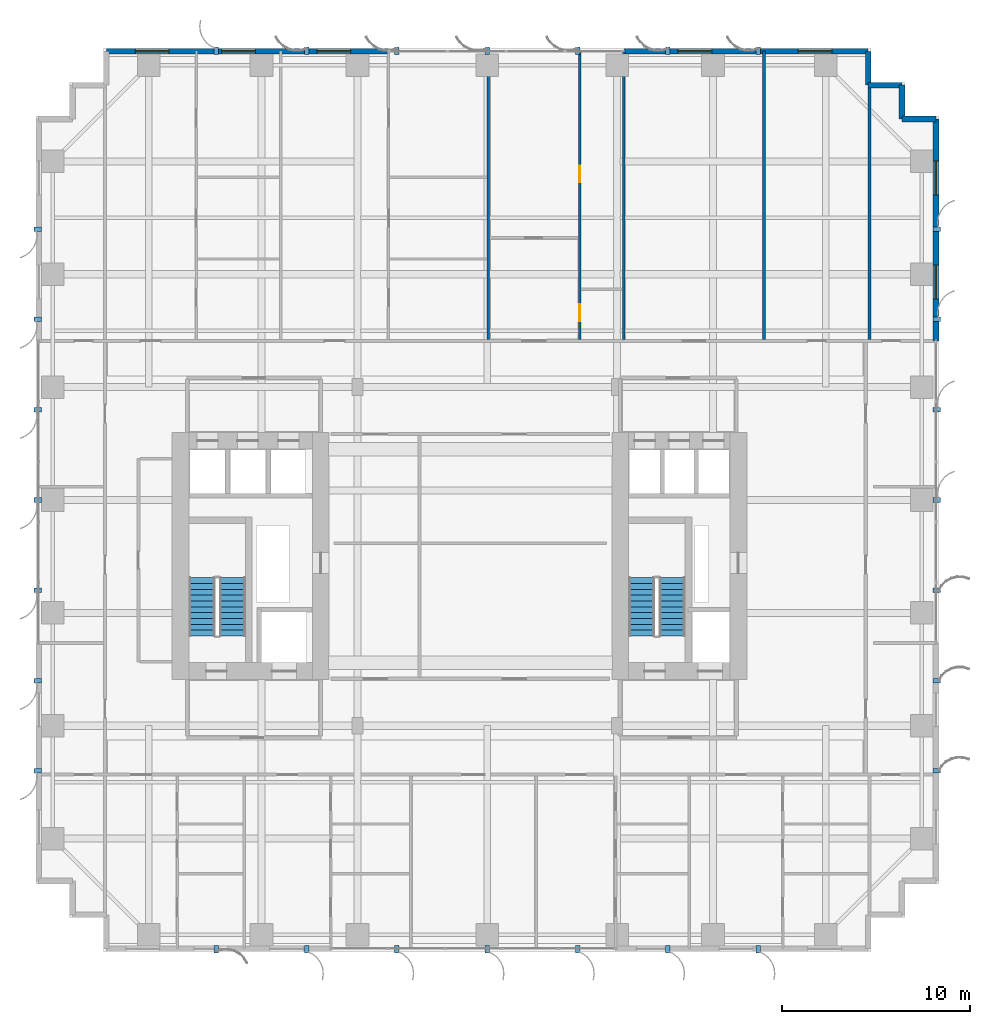
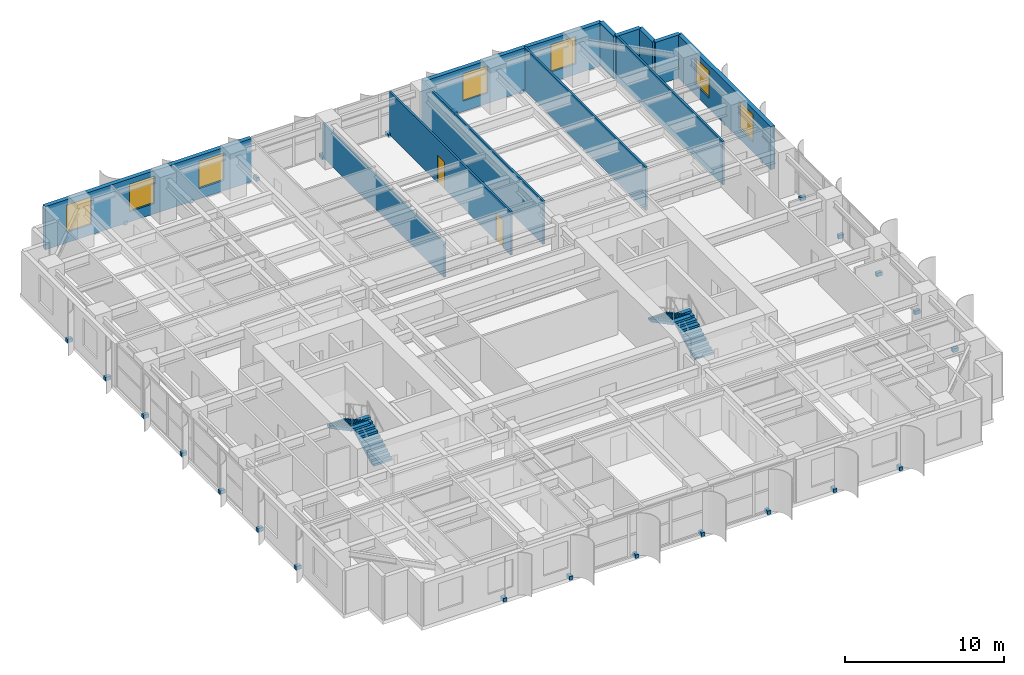
# One storey, part 19 of 23: 28 discrete accessories, 12 walls, 7 windows, 4 stair flights, 2 doors, 9 openings, 2 elements without a shape of their own.
"""IFC4 building model written with IfcOpenShell, lengths in metres."""

from ifc_helpers import new_model, si_unit, direction, frame, frame_2d, origin, origin_2d, place, context, subcontext, project, spatial, polyline, rectangle, outline, extrude, source, transform, mapped, material, layer, layer_set, type_object, element, fill, aggregate, save


model = new_model("IFC4")

# Units and contexts
model_context = context("Model", 3, precision=1e-05, world=origin(), true_north=direction((0.0, 1.0)))
body_context = subcontext(model_context, "Body", "Model", "MODEL_VIEW")
ifc_project = project(units=[si_unit("LENGTHUNIT", "METRE"), si_unit("AREAUNIT", "SQUARE_METRE"), si_unit("VOLUMEUNIT", "CUBIC_METRE"), si_unit("PLANEANGLEUNIT", "RADIAN"), si_unit("MASSUNIT", "GRAM", prefix="KILO")], contexts=[model_context])

# Site, building, storey
site_placement = place(None, origin())
site = spatial("IfcSite", under=ifc_project, at=site_placement, CompositionType="ELEMENT")
building_placement = place(site_placement, origin())
building = spatial("IfcBuilding", under=site, at=building_placement, Name="Khoralis Quay Care Tower", CompositionType="ELEMENT")
storey_placement = place(building_placement, frame((0.0, 0.0, 33.300048828125)))
storey = spatial("IfcBuildingStorey", under=building, at=storey_placement, Name="L08", CompositionType="ELEMENT", Elevation=33.300048828125)

# Wall, openings, windows
ifc_material_1 = material(Name="Precast concrete C45/55", Category="concrete")
ifc_layer_1 = layer(ifc_material_1, 0.300048828125)
ifc_layer_set_1 = layer_set([ifc_layer_1], Name="Precast concrete C45/55")
wall_type_1 = type_object("IfcWallType", Name="WL-EXT-REF-300", PredefinedType="SOLIDWALL", material=ifc_layer_set_1)
wall_1_placement = place(storey_placement, frame((47.85009765625, 32.4599609375, 0.0), z_axis=(0.0, 0.0, 1.0), x_axis=(0.0, 1.0, 0.0)))
wall_1 = element("IfcWall", 1, at=wall_1_placement, inside=storey, type_object=wall_type_1, Name="L08 External Facade Wall WL-EXT-L08-P1-E5B", PredefinedType="SOLIDWALL", context=body_context, shape_type="SweptSolid", body=[
    extrude(rectangle(XDim=11.7900390625, YDim=0.300048828125, at=frame_2d((5.89501953125, 0.0))), origin(), (0.0, 0.0, 1.0), 3.320068359375),
])
opening_1_placement = place(wall_1_placement, frame((2.2275390625, 0.0, 0.800048828125)))
opening_1 = element("IfcOpeningElement", 2, at=opening_1_placement, cuts=wall_1, Name="Opening W2", PredefinedType="OPENING", context=body_context, shape_type="SweptSolid", body=[
    extrude(rectangle(XDim=1.800048828125, YDim=2.10009765625, at=frame_2d((0.89990234375, 1.050048828125))), frame((0.0, 0.16015625, 0.0), z_axis=(0.0, -1.0, 0.0), x_axis=(1.0, 0.0, 0.0)), (0.0, 0.0, 1.0), 0.320068359375),
])
opening_2_placement = place(wall_1_placement, frame((7.762451171875, 0.0, 0.800048828125)))
opening_2 = element("IfcOpeningElement", 3, at=opening_2_placement, cuts=wall_1, Name="Opening W2", PredefinedType="OPENING", context=body_context, shape_type="SweptSolid", body=[
    extrude(rectangle(XDim=1.800048828125, YDim=2.10009765625, at=frame_2d((0.89990234375, 1.050048828125))), frame((0.0, 0.16015625, 0.0), z_axis=(0.0, -1.0, 0.0), x_axis=(1.0, 0.0, 0.0)), (0.0, 0.0, 1.0), 0.320068359375),
])
ifc_material_2 = material(Name="Low-E solar-control double glazing", Category="glass")
window_type = type_object("IfcWindowType", Name="WN-POD-1800X2100", PartitioningType="SINGLE_PANEL", PredefinedType="WINDOW", material=ifc_material_2)
shared_shape_1 = source(origin(), body_context, "Body", "SweptSolid", [
    extrude(rectangle(XDim=1.800048828125, YDim=2.10009765625, at=frame_2d((0.89990234375, 1.050048828125))), frame((0.0, 0.030029296875, 0.0), z_axis=(0.0, -1.0, 0.0), x_axis=(1.0, 0.0, 0.0)), (0.0, 0.0, 1.0), 0.06005859375),
])
window_1_placement = place(opening_1_placement, origin())
window_1 = element("IfcWindow", 4, at=window_1_placement, inside=storey, type_object=window_type, Name="WN-L08-P1-E5B Facade Window 01", OverallHeight=2.10009765625, OverallWidth=1.800048828125, PartitioningType="SINGLE_PANEL", PredefinedType="WINDOW", context=body_context, shape_type="MappedRepresentation", body=[
    mapped(shared_shape_1, transform((0.0, 0.0, 0.0), scale=1.0)),
])
fill(opening_1, window_1)
window_2_placement = place(opening_2_placement, origin())
window_2 = element("IfcWindow", 5, at=window_2_placement, inside=storey, type_object=window_type, Name="WN-L08-P1-E5B Facade Window 02", OverallHeight=2.10009765625, OverallWidth=1.800048828125, PartitioningType="SINGLE_PANEL", PredefinedType="WINDOW", context=body_context, shape_type="MappedRepresentation", body=[
    mapped(shared_shape_1, transform((0.0, 0.0, 0.0), scale=1.0)),
])
fill(opening_2, window_2)

# Walls
for number, where, z_axis, x_axis, name in (
    (6, (47.85009765625, 44.25, 0.0), (0.0, 0.0, 1.0), (-1.0, 0.0, 0.0), "L08 External Facade Wall WL-EXT-L08-P1-C6"),
    (7, (46.050048828125, 44.25, 0.0), (0.0, 0.0, 1.0), (0.0, 1.0, 0.0), "L08 External Facade Wall WL-EXT-L08-P1-C7"),
    (8, (46.050048828125, 46.050048828125, 0.0), (0.0, 0.0, 1.0), (-1.0, 0.0, 0.0), "L08 External Facade Wall WL-EXT-L08-P1-C8"),
    (9, (44.25, 46.050048828125, 0.0), (0.0, 0.0, 1.0), (0.0, 1.0, 0.0), "L08 External Facade Wall WL-EXT-L08-P1-C9"),
):
    element("IfcWall", number, at=place(storey_placement, frame(where, z_axis=z_axis, x_axis=x_axis)), inside=storey, type_object=wall_type_1, Name=name, PredefinedType="SOLIDWALL", context=body_context, shape_type="SweptSolid", body=[
        extrude(rectangle(XDim=1.800048828125, YDim=0.300048828125, at=frame_2d((0.89990234375, 0.0))), origin(), (0.0, 0.0, 1.0), 3.320068359375),
    ])

# Wall, openings, windows
wall_2_placement = place(storey_placement, frame((44.25, 47.85009765625, 0.0), z_axis=(0.0, 0.0, 1.0), x_axis=(-1.0, 0.0, 0.0)))
wall_2 = element("IfcWall", 10, at=wall_2_placement, inside=storey, type_object=wall_type_1, Name="L08 External Facade Wall WL-EXT-L08-P1-E10A", PredefinedType="SOLIDWALL", context=body_context, shape_type="SweptSolid", body=[
    extrude(rectangle(XDim=12.989990234375, YDim=0.300048828125, at=frame_2d((6.4951171875, 0.0))), origin(), (0.0, 0.0, 1.0), 3.320068359375),
])
opening_3_placement = place(wall_2_placement, frame((1.919921875, 0.0, 0.800048828125)))
opening_3 = element("IfcOpeningElement", 11, at=opening_3_placement, cuts=wall_2, Name="Opening W2", PredefinedType="OPENING", context=body_context, shape_type="SweptSolid", body=[
    extrude(rectangle(XDim=1.800048828125, YDim=2.10009765625, at=frame_2d((0.89990234375, 1.050048828125))), frame((0.0, 0.16015625, 0.0), z_axis=(0.0, -1.0, 0.0), x_axis=(1.0, 0.0, 0.0)), (0.0, 0.0, 1.0), 0.320068359375),
])
opening_4_placement = place(wall_2_placement, frame((8.31494140625, 0.0, 0.800048828125)))
opening_4 = element("IfcOpeningElement", 12, at=opening_4_placement, cuts=wall_2, Name="Opening W2", PredefinedType="OPENING", context=body_context, shape_type="SweptSolid", body=[
    extrude(rectangle(XDim=1.800048828125, YDim=2.10009765625, at=frame_2d((0.89990234375, 1.050048828125))), frame((0.0, 0.16015625, 0.0), z_axis=(0.0, -1.0, 0.0), x_axis=(1.0, 0.0, 0.0)), (0.0, 0.0, 1.0), 0.320068359375),
])
window_3_placement = place(opening_3_placement, origin())
window_3 = element("IfcWindow", 13, at=window_3_placement, inside=storey, type_object=window_type, Name="WN-L08-P1-E10A Facade Window 01", OverallHeight=2.10009765625, OverallWidth=1.800048828125, PartitioningType="SINGLE_PANEL", PredefinedType="WINDOW", context=body_context, shape_type="MappedRepresentation", body=[
    mapped(shared_shape_1, transform((0.0, 0.0, 0.0), scale=1.0)),
])
fill(opening_3, window_3)
window_4_placement = place(opening_4_placement, origin())
window_4 = element("IfcWindow", 14, at=window_4_placement, inside=storey, type_object=window_type, Name="WN-L08-P1-E10A Facade Window 02", OverallHeight=2.10009765625, OverallWidth=1.800048828125, PartitioningType="SINGLE_PANEL", PredefinedType="WINDOW", context=body_context, shape_type="MappedRepresentation", body=[
    mapped(shared_shape_1, transform((0.0, 0.0, 0.0), scale=1.0)),
])
fill(opening_4, window_4)

wall_3_placement = place(storey_placement, frame((18.756103515625, 47.85009765625, 0.0), z_axis=(0.0, 0.0, 1.0), x_axis=(-1.0, 0.0, 0.0)))
wall_3 = element("IfcWall", 15, at=wall_3_placement, inside=storey, type_object=wall_type_1, Name="L08 External Facade Wall WL-EXT-L08-P1-E10B", PredefinedType="SOLIDWALL", context=body_context, shape_type="SweptSolid", body=[
    extrude(rectangle(XDim=15.006103515625, YDim=0.300048828125, at=frame_2d((7.5029296875, 0.0))), origin(), (0.0, 0.0, 1.0), 3.320068359375),
])
opening_5_placement = place(wall_3_placement, frame((2.01806640625, 0.0, 0.800048828125)))
opening_5 = element("IfcOpeningElement", 16, at=opening_5_placement, cuts=wall_3, Name="Opening W2", PredefinedType="OPENING", context=body_context, shape_type="SweptSolid", body=[
    extrude(rectangle(XDim=1.800048828125, YDim=2.10009765625, at=frame_2d((0.89990234375, 1.050048828125))), frame((0.0, 0.16015625, 0.0), z_axis=(0.0, -1.0, 0.0), x_axis=(1.0, 0.0, 0.0)), (0.0, 0.0, 1.0), 0.320068359375),
])
opening_6_placement = place(wall_3_placement, frame((7.077392578125, 0.0, 0.800048828125)))
opening_6 = element("IfcOpeningElement", 17, at=opening_6_placement, cuts=wall_3, Name="Opening W2", PredefinedType="OPENING", context=body_context, shape_type="SweptSolid", body=[
    extrude(rectangle(XDim=1.800048828125, YDim=2.10009765625, at=frame_2d((0.89990234375, 1.050048828125))), frame((0.0, 0.16015625, 0.0), z_axis=(0.0, -1.0, 0.0), x_axis=(1.0, 0.0, 0.0)), (0.0, 0.0, 1.0), 0.320068359375),
])
opening_7_placement = place(wall_3_placement, frame((11.66259765625, 0.0, 0.800048828125)))
opening_7 = element("IfcOpeningElement", 18, at=opening_7_placement, cuts=wall_3, Name="Opening W2", PredefinedType="OPENING", context=body_context, shape_type="SweptSolid", body=[
    extrude(rectangle(XDim=1.800048828125, YDim=2.10009765625, at=frame_2d((0.89990234375, 1.050048828125))), frame((0.0, 0.16015625, 0.0), z_axis=(0.0, -1.0, 0.0), x_axis=(1.0, 0.0, 0.0)), (0.0, 0.0, 1.0), 0.320068359375),
])
window_5_placement = place(opening_5_placement, origin())
window_5 = element("IfcWindow", 19, at=window_5_placement, inside=storey, type_object=window_type, Name="WN-L08-P1-E10B Facade Window 01", OverallHeight=2.10009765625, OverallWidth=1.800048828125, PartitioningType="SINGLE_PANEL", PredefinedType="WINDOW", context=body_context, shape_type="MappedRepresentation", body=[
    mapped(shared_shape_1, transform((0.0, 0.0, 0.0), scale=1.0)),
])
fill(opening_5, window_5)
window_6_placement = place(opening_6_placement, origin())
window_6 = element("IfcWindow", 20, at=window_6_placement, inside=storey, type_object=window_type, Name="WN-L08-P1-E10B Facade Window 02", OverallHeight=2.10009765625, OverallWidth=1.800048828125, PartitioningType="SINGLE_PANEL", PredefinedType="WINDOW", context=body_context, shape_type="MappedRepresentation", body=[
    mapped(shared_shape_1, transform((0.0, 0.0, 0.0), scale=1.0)),
])
fill(opening_6, window_6)
window_7_placement = place(opening_7_placement, origin())
window_7 = element("IfcWindow", 21, at=window_7_placement, inside=storey, type_object=window_type, Name="WN-L08-P1-E10B Facade Window 03", OverallHeight=2.10009765625, OverallWidth=1.800048828125, PartitioningType="SINGLE_PANEL", PredefinedType="WINDOW", context=body_context, shape_type="MappedRepresentation", body=[
    mapped(shared_shape_1, transform((0.0, 0.0, 0.0), scale=1.0)),
])
fill(opening_7, window_7)

# Wall, openings, doors
ifc_material_3 = material(Name="Moisture-resistant gypsum and ceramic tile")
ifc_layer_2 = layer(ifc_material_3, 0.280029296875)
ifc_layer_set_2 = layer_set([ifc_layer_2], Name="Moisture-resistant gypsum and ceramic tile")
wall_type_2 = type_object("IfcWallType", Name="WL-PLUMB-280", PredefinedType="PLUMBINGWALL", material=ifc_layer_set_2)
wall_4_placement = place(storey_placement, frame((28.909912109375, 32.53759765625, 0.0), z_axis=(0.0, 0.0, 1.0), x_axis=(0.0, 1.0, 0.0)))
wall_4 = element("IfcWall", 22, at=wall_4_placement, inside=storey, type_object=wall_type_2, Name="L08 Care Suite 2 En-Suite Wall V", PredefinedType="PLUMBINGWALL", context=body_context, shape_type="SweptSolid", body=[
    extrude(rectangle(XDim=15.3173828125, YDim=0.139892578125, at=frame_2d((7.65869140625, 0.0))), origin(), (0.0, 0.0, 1.0), 3.320068359375),
])
opening_8_placement = place(wall_4_placement, frame((0.96240234375, 0.0, 0.0)))
opening_8 = element("IfcOpeningElement", 23, at=opening_8_placement, cuts=wall_4, Name="Opening WD1", PredefinedType="OPENING", context=body_context, shape_type="SweptSolid", body=[
    extrude(rectangle(XDim=0.89990234375, YDim=2.10009765625, at=frame_2d((0.449951171875, 1.050048828125))), frame((0.0, 0.080078125, 0.0), z_axis=(0.0, -1.0, 0.0), x_axis=(1.0, 0.0, 0.0)), (0.0, 0.0, 1.0), 0.159912109375),
])
opening_9_placement = place(wall_4_placement, frame((8.342529296875, 0.0, 0.0)))
opening_9 = element("IfcOpeningElement", 24, at=opening_9_placement, cuts=wall_4, Name="Opening WD1", PredefinedType="OPENING", context=body_context, shape_type="SweptSolid", body=[
    extrude(rectangle(XDim=0.89990234375, YDim=2.10009765625, at=frame_2d((0.449951171875, 1.050048828125))), frame((0.0, 0.080078125, 0.0), z_axis=(0.0, -1.0, 0.0), x_axis=(1.0, 0.0, 0.0)), (0.0, 0.0, 1.0), 0.159912109375),
])
ifc_material_4 = material(Name="Acoustic hardwood timber", Category="wood")
door_type = type_object("IfcDoorType", Name="DR-BATH-900X2100", OperationType="NOTDEFINED", PredefinedType="DOOR", material=ifc_material_4)
shared_shape_2 = source(origin(), body_context, "Body", "SweptSolid", [
    extrude(rectangle(XDim=0.89990234375, YDim=2.10009765625, at=frame_2d((0.449951171875, 1.050048828125))), frame((0.0, 0.02490234375, 0.0), z_axis=(0.0, -1.0, 0.0), x_axis=(1.0, 0.0, 0.0)), (0.0, 0.0, 1.0), 0.050048828125),
])
door_1_placement = place(opening_8_placement, frame((0.89990234375, 0.0, 0.0), z_axis=(0.0, 0.0, 1.0), x_axis=(-1.0, 0.0, 0.0)))
door_1 = element("IfcDoor", 25, at=door_1_placement, inside=storey, type_object=door_type, Name="L08 Care CENS Door", OperationType="SINGLE_SWING_LEFT", OverallHeight=2.10009765625, OverallWidth=0.89990234375, PredefinedType="DOOR", context=body_context, shape_type="MappedRepresentation", body=[
    mapped(shared_shape_2, transform((0.0, 0.0, 0.0), scale=1.0)),
])
fill(opening_8, door_1)
door_2_placement = place(opening_9_placement, frame((0.89990234375, 0.0, 0.0), z_axis=(0.0, 0.0, 1.0), x_axis=(-1.0, 0.0, 0.0)))
door_2 = element("IfcDoor", 26, at=door_2_placement, inside=storey, type_object=door_type, Name="L08 Care CSIT Door", OperationType="SINGLE_SWING_RIGHT", OverallHeight=2.10009765625, OverallWidth=0.89990234375, PredefinedType="DOOR", context=body_context, shape_type="MappedRepresentation", body=[
    mapped(shared_shape_2, transform((0.0, 0.0, 0.0), scale=1.0)),
])
fill(opening_9, door_2)

# Walls
ifc_material_5 = material(Name="Gypsum plasterboard on acoustic metal stud")
ifc_layer_3 = layer(ifc_material_5, 0.139892578125)
ifc_layer_set_3 = layer_set([ifc_layer_3], Name="Gypsum plasterboard on acoustic metal stud")
wall_type_3 = type_object("IfcWallType", Name="WL-UNIT-140", PredefinedType="PARTITIONING", material=ifc_layer_set_3)
wall_5_placement = place(storey_placement, frame((24.050048828125, 32.53759765625, 0.0), z_axis=(0.0, 0.0, 1.0), x_axis=(0.0, 1.0, 0.0)))
element("IfcWall", 27, at=wall_5_placement, inside=storey, type_object=wall_type_3, Name="L08 NB Demising Wall 2", PredefinedType="PARTITIONING", context=body_context, shape_type="SweptSolid", body=[
    extrude(rectangle(XDim=15.3173828125, YDim=0.139892578125, at=frame_2d((7.65869140625, 0.0))), origin(), (0.0, 0.0, 1.0), 2.625),
])
for number, where, z_axis, x_axis, name in (
    (28, (31.260009765625, 32.53759765625, 0.0), (0.0, 0.0, 1.0), (0.0, 1.0, 0.0), "L08 NB Demising Wall 3"),
    (29, (38.7099609375, 32.53759765625, 0.0), (0.0, 0.0, 1.0), (0.0, 1.0, 0.0), "L08 NB Demising Wall 4"),
):
    element("IfcWall", number, at=place(storey_placement, frame(where, z_axis=z_axis, x_axis=x_axis)), inside=storey, type_object=wall_type_3, Name=name, PredefinedType="PARTITIONING", context=body_context, shape_type="SweptSolid", body=[
        extrude(rectangle(XDim=15.3173828125, YDim=0.139892578125, at=frame_2d((7.65869140625, 0.0))), origin(), (0.0, 0.0, 1.0), 3.320068359375),
    ])
wall_6_placement = place(storey_placement, frame((44.320068359375, 32.53759765625, 0.0), z_axis=(0.0, 0.0, 1.0), x_axis=(0.0, 1.0, 0.0)))
element("IfcWall", 30, at=wall_6_placement, inside=storey, type_object=wall_type_3, Name="L08 NB Demising Wall 5", PredefinedType="PARTITIONING", context=body_context, shape_type="SweptSolid", body=[
    extrude(rectangle(XDim=13.517333984375, YDim=0.139892578125, at=frame_2d((6.7587890625, 0.0))), origin(), (0.0, 0.0, 1.0), 3.320068359375),
])

# Stair, stair flights
stair_type = type_object("IfcStairType", Name="ST-TWR-DOGLEG-1400", PredefinedType="HALF_TURN_STAIR", material=ifc_material_1)
stair_1_placement = place(storey_placement, origin())
stair_1 = element("IfcStair", 31, at=stair_1_placement, inside=storey, type_object=stair_type, Name="L08 West Core Exit Stair ST-T1", PredefinedType="HALF_TURN_STAIR")
stair_flight_type = type_object("IfcStairFlightType", Name="SF-TWR-1400", PredefinedType="STRAIGHT", material=ifc_material_1)
shared_shape_3 = source(origin(), body_context, "Body", "SweptSolid", [
    extrude(outline(polyline([(0.0, 0.0), (0.0, 0.16357421875), (0.31005859375, 0.16357421875), (0.31005859375, 0.327392578125), (0.6201171875, 0.327392578125), (0.6201171875, 0.490966796875), (0.929931640625, 0.490966796875), (0.929931640625, 0.654541015625), (1.239990234375, 0.654541015625), (1.239990234375, 0.818115234375), (1.550048828125, 0.818115234375), (1.550048828125, 0.98193359375), (1.860107421875, 0.98193359375), (1.860107421875, 1.1455078125), (2.169921875, 1.1455078125), (2.169921875, 1.30908203125), (2.47998046875, 1.30908203125), (2.47998046875, 1.47265625), (2.7900390625, 1.47265625), (2.7900390625, 1.636474609375), (3.10009765625, 1.636474609375), (3.10009765625, 1.800048828125), (3.10009765625, 1.466796875), (0.321044921875, 0.0), (0.0, 0.0)])), frame((0.0, 0.68994140625, 0.0), z_axis=(0.0, -1.0, 0.0), x_axis=(1.0, 0.0, 0.0)), (0.0, 0.0, 1.0), 1.3798828125),
])
stair_flight_1_placement = place(storey_placement, frame((10.4599609375, 16.77001953125, 0.0), z_axis=(0.0, 0.0, 1.0), x_axis=(0.0, 1.0, 0.0)))
stair_flight_1 = element("IfcStairFlight", 32, at=stair_flight_1_placement, type_object=stair_flight_type, Name="ST-T1 flight 1", NumberOfRisers=11, NumberOfTreads=10, PredefinedType="STRAIGHT", RiserHeight=0.163636364, TreadLength=0.31, context=body_context, shape_type="MappedRepresentation", body=[
    mapped(shared_shape_3, transform((0.0, 0.0, 0.0), scale=1.0)),
])
stair_flight_2_placement = place(storey_placement, frame((8.840087890625, 19.8701171875, 1.800048828125), z_axis=(0.0, 0.0, 1.0), x_axis=(0.0, -1.0, 0.0)))
stair_flight_2 = element("IfcStairFlight", 33, at=stair_flight_2_placement, type_object=stair_flight_type, Name="ST-T1 flight 2", NumberOfRisers=11, NumberOfTreads=10, PredefinedType="STRAIGHT", RiserHeight=0.163636364, TreadLength=0.31, context=body_context, shape_type="MappedRepresentation", body=[
    mapped(shared_shape_3, transform((0.0, 0.0, 0.0), scale=1.0)),
])
aggregate(stair_1, [stair_flight_1, stair_flight_2])

stair_2_placement = place(storey_placement, origin())
stair_2 = element("IfcStair", 34, at=stair_2_placement, inside=storey, type_object=stair_type, Name="L08 East Core Exit Stair ST-T2", PredefinedType="HALF_TURN_STAIR")
stair_flight_3_placement = place(storey_placement, frame((33.830078125, 16.77001953125, 0.0), z_axis=(0.0, 0.0, 1.0), x_axis=(0.0, 1.0, 0.0)))
stair_flight_3 = element("IfcStairFlight", 35, at=stair_flight_3_placement, type_object=stair_flight_type, Name="ST-T2 flight 1", NumberOfRisers=11, NumberOfTreads=10, PredefinedType="STRAIGHT", RiserHeight=0.163636364, TreadLength=0.31, context=body_context, shape_type="MappedRepresentation", body=[
    mapped(shared_shape_3, transform((0.0, 0.0, 0.0), scale=1.0)),
])
stair_flight_4_placement = place(storey_placement, frame((32.2099609375, 19.8701171875, 1.800048828125), z_axis=(0.0, 0.0, 1.0), x_axis=(0.0, -1.0, 0.0)))
stair_flight_4 = element("IfcStairFlight", 36, at=stair_flight_4_placement, type_object=stair_flight_type, Name="ST-T2 flight 2", NumberOfRisers=11, NumberOfTreads=10, PredefinedType="STRAIGHT", RiserHeight=0.163636364, TreadLength=0.31, context=body_context, shape_type="MappedRepresentation", body=[
    mapped(shared_shape_3, transform((0.0, 0.0, 0.0), scale=1.0)),
])
aggregate(stair_2, [stair_flight_3, stair_flight_4])

# Discrete accessories
ifc_material_6 = material(Name="Brushed stainless steel", Category="steel")
discrete_accessory_type = type_object("IfcDiscreteAccessoryType", Name="ACC-FIN-BRACKET", PredefinedType="BRACKET", material=ifc_material_6)
shared_shape_4 = source(origin(), body_context, "Body", "SweptSolid", [
    extrude(rectangle(XDim=0.39990234375, YDim=0.239990234375, at=origin_2d()), origin(), (0.0, 0.0, 1.0), 0.280029296875),
])
for number, where, z_axis, x_axis, name in (
    (37, (9.60009765625, 0.110107421875, -0.1201171875), (0.0, 0.0, 1.0), (0.0, -1.0, 0.0), "L08 Solar Fin Bracket P1E0-01"),
    (38, (14.39990234375, 0.110107421875, -0.1201171875), (0.0, 0.0, 1.0), (0.0, -1.0, 0.0), "L08 Solar Fin Bracket P1E0-02"),
    (39, (19.199951171875, 0.110107421875, -0.1201171875), (0.0, 0.0, 1.0), (0.0, -1.0, 0.0), "L08 Solar Fin Bracket P1E0-03"),
    (40, (24.0, 0.110107421875, -0.1201171875), (0.0, 0.0, 1.0), (0.0, -1.0, 0.0), "L08 Solar Fin Bracket P1E0-04"),
    (41, (28.800048828125, 0.110107421875, -0.1201171875), (0.0, 0.0, 1.0), (0.0, -1.0, 0.0), "L08 Solar Fin Bracket P1E0-05"),
    (42, (33.60009765625, 0.110107421875, -0.1201171875), (0.0, 0.0, 1.0), (0.0, -1.0, 0.0), "L08 Solar Fin Bracket P1E0-06"),
    (43, (38.39990234375, 0.110107421875, -0.1201171875), (0.0, 0.0, 1.0), (0.0, -1.0, 0.0), "L08 Solar Fin Bracket P1E0-07"),
    (44, (47.889892578125, 9.60009765625, -0.1201171875), (0.0, 0.0, 1.0), (1.0, 0.0, 0.0), "L08 Solar Fin Bracket P1E5-01"),
    (45, (47.889892578125, 14.39990234375, -0.1201171875), (0.0, 0.0, 1.0), (1.0, 0.0, 0.0), "L08 Solar Fin Bracket P1E5-02"),
    (46, (47.889892578125, 19.199951171875, -0.1201171875), (0.0, 0.0, 1.0), (1.0, 0.0, 0.0), "L08 Solar Fin Bracket P1E5-03"),
    (47, (47.889892578125, 24.0, -0.1201171875), (0.0, 0.0, 1.0), (1.0, 0.0, 0.0), "L08 Solar Fin Bracket P1E5-04"),
    (48, (47.889892578125, 28.800048828125, -0.1201171875), (0.0, 0.0, 1.0), (1.0, 0.0, 0.0), "L08 Solar Fin Bracket P1E5-05"),
    (49, (47.889892578125, 33.60009765625, -0.1201171875), (0.0, 0.0, 1.0), (1.0, 0.0, 0.0), "L08 Solar Fin Bracket P1E5-06"),
    (50, (47.889892578125, 38.39990234375, -0.1201171875), (0.0, 0.0, 1.0), (1.0, 0.0, 0.0), "L08 Solar Fin Bracket P1E5-07"),
    (51, (38.39990234375, 47.889892578125, -0.1201171875), (0.0, 0.0, 1.0), (0.0, 1.0, 0.0), "L08 Solar Fin Bracket P1E10-01"),
    (52, (33.60009765625, 47.889892578125, -0.1201171875), (0.0, 0.0, 1.0), (0.0, 1.0, 0.0), "L08 Solar Fin Bracket P1E10-02"),
    (53, (28.800048828125, 47.889892578125, -0.1201171875), (0.0, 0.0, 1.0), (0.0, 1.0, 0.0), "L08 Solar Fin Bracket P1E10-03"),
    (54, (24.0, 47.889892578125, -0.1201171875), (0.0, 0.0, 1.0), (0.0, 1.0, 0.0), "L08 Solar Fin Bracket P1E10-04"),
    (55, (19.199951171875, 47.889892578125, -0.1201171875), (0.0, 0.0, 1.0), (0.0, 1.0, 0.0), "L08 Solar Fin Bracket P1E10-05"),
    (56, (14.39990234375, 47.889892578125, -0.1201171875), (0.0, 0.0, 1.0), (0.0, 1.0, 0.0), "L08 Solar Fin Bracket P1E10-06"),
    (57, (9.60009765625, 47.889892578125, -0.1201171875), (0.0, 0.0, 1.0), (0.0, 1.0, 0.0), "L08 Solar Fin Bracket P1E10-07"),
    (58, (0.110107421875, 38.39990234375, -0.1201171875), (0.0, 0.0, 1.0), (-1.0, 0.0, 0.0), "L08 Solar Fin Bracket P1E15-01"),
    (59, (0.110107421875, 33.60009765625, -0.1201171875), (0.0, 0.0, 1.0), (-1.0, 0.0, 0.0), "L08 Solar Fin Bracket P1E15-02"),
    (60, (0.110107421875, 28.800048828125, -0.1201171875), (0.0, 0.0, 1.0), (-1.0, 0.0, 0.0), "L08 Solar Fin Bracket P1E15-03"),
    (61, (0.110107421875, 24.0, -0.1201171875), (0.0, 0.0, 1.0), (-1.0, 0.0, 0.0), "L08 Solar Fin Bracket P1E15-04"),
    (62, (0.110107421875, 19.199951171875, -0.1201171875), (0.0, 0.0, 1.0), (-1.0, 0.0, 0.0), "L08 Solar Fin Bracket P1E15-05"),
    (63, (0.110107421875, 14.39990234375, -0.1201171875), (0.0, 0.0, 1.0), (-1.0, 0.0, 0.0), "L08 Solar Fin Bracket P1E15-06"),
    (64, (0.110107421875, 9.60009765625, -0.1201171875), (0.0, 0.0, 1.0), (-1.0, 0.0, 0.0), "L08 Solar Fin Bracket P1E15-07"),
):
    element("IfcDiscreteAccessory", number, at=place(storey_placement, frame(where, z_axis=z_axis, x_axis=x_axis)), inside=storey, type_object=discrete_accessory_type, Name=name, PredefinedType="BRACKET", context=body_context, shape_type="MappedRepresentation", body=[
        mapped(shared_shape_4, transform((0.0, 0.0, 0.0), scale=1.0)),
    ])

save(model, "model.ifc")
